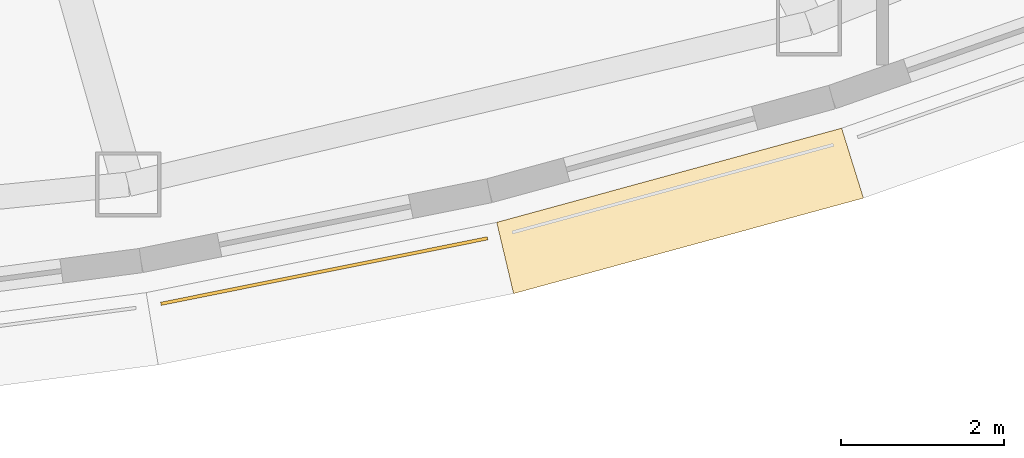
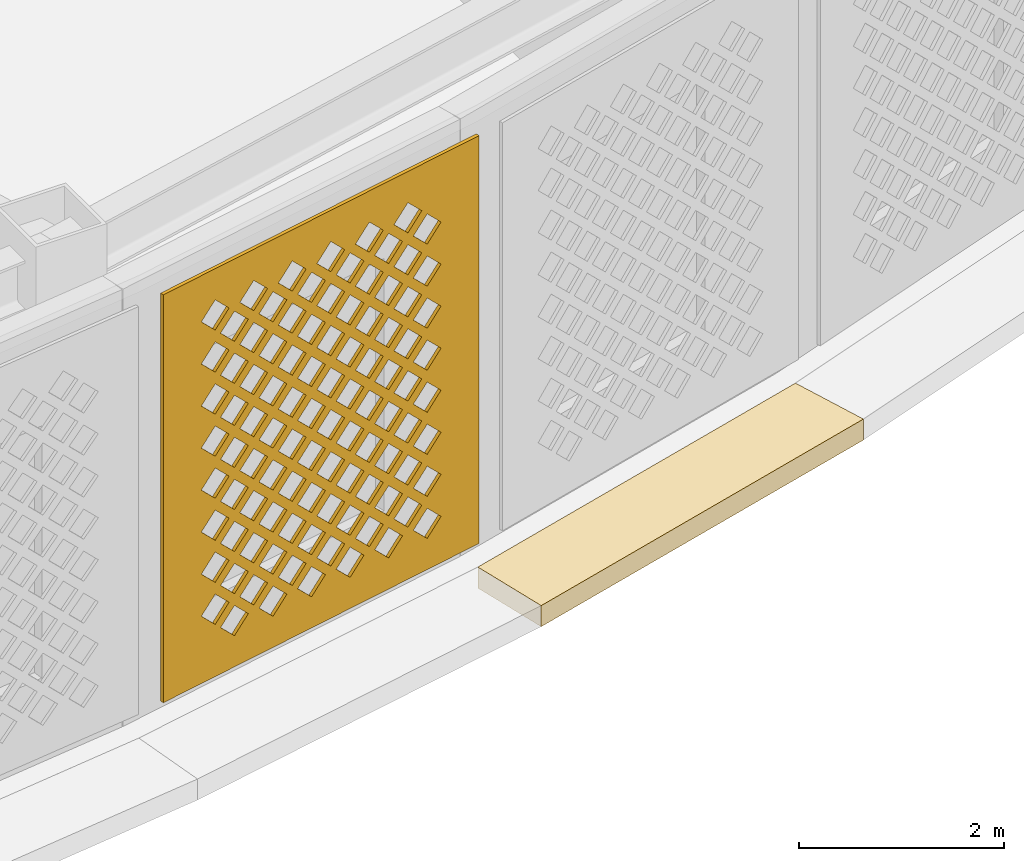
# One storey, part 50 of 63: 2 coverings.
"""IFC4 building model written with IfcOpenShell, lengths in metres."""

from ifc_helpers import new_model, si_unit, direction, frame, origin, place, context, subcontext, project, spatial, polyline, outline, extrude, material, layer, layer_set, type_object, element, save


model = new_model("IFC4")

# Units and contexts
model_context = context("Model", 3, precision=1e-05, world=origin(), true_north=direction((0.0, 1.0)))
body_context = subcontext(model_context, "Body", "Model", "MODEL_VIEW")
ifc_project = project(units=[si_unit("LENGTHUNIT", "METRE"), si_unit("AREAUNIT", "SQUARE_METRE"), si_unit("VOLUMEUNIT", "CUBIC_METRE"), si_unit("PLANEANGLEUNIT", "RADIAN"), si_unit("MASSUNIT", "GRAM", prefix="KILO")], contexts=[model_context])

# Site, building, storey
site_placement = place(None, origin())
site = spatial("IfcSite", under=ifc_project, at=site_placement, CompositionType="ELEMENT")
building_placement = place(site_placement, origin())
building = spatial("IfcBuilding", under=site, at=building_placement, Name="Noorbagh Ring Tower", CompositionType="ELEMENT")
storey_placement = place(building_placement, frame((0.0, 0.0, 25.0)))
storey = spatial("IfcBuildingStorey", under=building, at=storey_placement, Name="L04", CompositionType="ELEMENT", Elevation=25.0)

# Coverings
ifc_material_1 = material(Name="Red sandstone eave", Category="masonry")
covering_type_1 = type_object("IfcCoveringType", Name="STY-CHHAJJA", PredefinedType="USERDEFINED", material=ifc_material_1)
covering_1_placement = place(storey_placement, frame((0.0, 0.0, -0.25)))
element("IfcCovering", 1, at=covering_1_placement, inside=storey, type_object=covering_type_1, Name="Chhajja eave", ObjectType="CHHAJJA", PredefinedType="USERDEFINED", context=body_context, shape_type="SweptSolid", body=[
    extrude(outline(polyline([(15.2568359375, -38.239501953125), (19.49853515625, -37.081298828125), (19.7666015625, -37.941162109375), (15.464111328125, -39.115966796875), (15.2568359375, -38.239501953125)])), origin(), (0.0, 0.0, 1.0), 0.25),
])
ifc_material_2 = material(Name="Red sandstone jali", Category="masonry")
ifc_layer = layer(ifc_material_2, 0.0400390625)
ifc_layer_set = layer_set([ifc_layer], Name="Red sandstone jali")
covering_type_2 = type_object("IfcCoveringType", Name="STY-JALI", PredefinedType="USERDEFINED", material=ifc_layer_set)
covering_2_placement = place(storey_placement, frame((11.130126953125, -39.260498046875, 0.449951171875), z_axis=(0.196528665711, -0.980498079322, 0.0), x_axis=(0.980498079322, 0.196528665711, 0.0)))
element("IfcCovering", 2, at=covering_2_placement, inside=storey, type_object=covering_type_2, Name="Jali screen", ObjectType="SCREEN", PredefinedType="USERDEFINED", context=body_context, shape_type="SweptSolid", body=[
    extrude(outline(polyline([(0.0, 0.0), (4.096923828125, 0.0), (4.096923828125, 4.85009765625), (0.0, 4.85009765625), (0.0, 0.0)]), holes=[polyline([(0.743408203125, 0.550048828125), (0.923583984375, 0.3701171875), (1.103515625, 0.550048828125), (0.923583984375, 0.72998046875), (0.743408203125, 0.550048828125)]), polyline([(1.243408203125, 0.550048828125), (1.423583984375, 0.3701171875), (1.603515625, 0.550048828125), (1.423583984375, 0.72998046875), (1.243408203125, 0.550048828125)]), polyline([(1.743408203125, 0.550048828125), (1.923583984375, 0.3701171875), (2.103515625, 0.550048828125), (1.923583984375, 0.72998046875), (1.743408203125, 0.550048828125)]), polyline([(2.243408203125, 0.550048828125), (2.423583984375, 0.3701171875), (2.603515625, 0.550048828125), (2.423583984375, 0.72998046875), (2.243408203125, 0.550048828125)]), polyline([(2.743408203125, 0.550048828125), (2.923583984375, 0.3701171875), (3.103515625, 0.550048828125), (2.923583984375, 0.72998046875), (2.743408203125, 0.550048828125)]), polyline([(3.243408203125, 0.550048828125), (3.423583984375, 0.3701171875), (3.603515625, 0.550048828125), (3.423583984375, 0.72998046875), (3.243408203125, 0.550048828125)]), polyline([(0.493408203125, 0.800048828125), (0.673583984375, 0.6201171875), (0.853515625, 0.800048828125), (0.673583984375, 0.97998046875), (0.493408203125, 0.800048828125)]), polyline([(0.993408203125, 0.800048828125), (1.173583984375, 0.6201171875), (1.353515625, 0.800048828125), (1.173583984375, 0.97998046875), (0.993408203125, 0.800048828125)]), polyline([(1.493408203125, 0.800048828125), (1.673583984375, 0.6201171875), (1.853515625, 0.800048828125), (1.673583984375, 0.97998046875), (1.493408203125, 0.800048828125)]), polyline([(1.993408203125, 0.800048828125), (2.173583984375, 0.6201171875), (2.353515625, 0.800048828125), (2.173583984375, 0.97998046875), (1.993408203125, 0.800048828125)]), polyline([(2.493408203125, 0.800048828125), (2.673583984375, 0.6201171875), (2.853515625, 0.800048828125), (2.673583984375, 0.97998046875), (2.493408203125, 0.800048828125)]), polyline([(2.993408203125, 0.800048828125), (3.173583984375, 0.6201171875), (3.353515625, 0.800048828125), (3.173583984375, 0.97998046875), (2.993408203125, 0.800048828125)]), polyline([(0.743408203125, 1.050048828125), (0.923583984375, 0.8701171875), (1.103515625, 1.050048828125), (0.923583984375, 1.22998046875), (0.743408203125, 1.050048828125)]), polyline([(1.243408203125, 1.050048828125), (1.423583984375, 0.8701171875), (1.603515625, 1.050048828125), (1.423583984375, 1.22998046875), (1.243408203125, 1.050048828125)]), polyline([(1.743408203125, 1.050048828125), (1.923583984375, 0.8701171875), (2.103515625, 1.050048828125), (1.923583984375, 1.22998046875), (1.743408203125, 1.050048828125)]), polyline([(2.243408203125, 1.050048828125), (2.423583984375, 0.8701171875), (2.603515625, 1.050048828125), (2.423583984375, 1.22998046875), (2.243408203125, 1.050048828125)]), polyline([(2.743408203125, 1.050048828125), (2.923583984375, 0.8701171875), (3.103515625, 1.050048828125), (2.923583984375, 1.22998046875), (2.743408203125, 1.050048828125)]), polyline([(3.243408203125, 1.050048828125), (3.423583984375, 0.8701171875), (3.603515625, 1.050048828125), (3.423583984375, 1.22998046875), (3.243408203125, 1.050048828125)]), polyline([(0.493408203125, 1.300048828125), (0.673583984375, 1.1201171875), (0.853515625, 1.300048828125), (0.673583984375, 1.47998046875), (0.493408203125, 1.300048828125)]), polyline([(0.993408203125, 1.300048828125), (1.173583984375, 1.1201171875), (1.353515625, 1.300048828125), (1.173583984375, 1.47998046875), (0.993408203125, 1.300048828125)]), polyline([(1.493408203125, 1.300048828125), (1.673583984375, 1.1201171875), (1.853515625, 1.300048828125), (1.673583984375, 1.47998046875), (1.493408203125, 1.300048828125)]), polyline([(1.993408203125, 1.300048828125), (2.173583984375, 1.1201171875), (2.353515625, 1.300048828125), (2.173583984375, 1.47998046875), (1.993408203125, 1.300048828125)]), polyline([(2.493408203125, 1.300048828125), (2.673583984375, 1.1201171875), (2.853515625, 1.300048828125), (2.673583984375, 1.47998046875), (2.493408203125, 1.300048828125)]), polyline([(2.993408203125, 1.300048828125), (3.173583984375, 1.1201171875), (3.353515625, 1.300048828125), (3.173583984375, 1.47998046875), (2.993408203125, 1.300048828125)]), polyline([(0.743408203125, 1.550048828125), (0.923583984375, 1.3701171875), (1.103515625, 1.550048828125), (0.923583984375, 1.72998046875), (0.743408203125, 1.550048828125)]), polyline([(1.243408203125, 1.550048828125), (1.423583984375, 1.3701171875), (1.603515625, 1.550048828125), (1.423583984375, 1.72998046875), (1.243408203125, 1.550048828125)]), polyline([(1.743408203125, 1.550048828125), (1.923583984375, 1.3701171875), (2.103515625, 1.550048828125), (1.923583984375, 1.72998046875), (1.743408203125, 1.550048828125)]), polyline([(2.243408203125, 1.550048828125), (2.423583984375, 1.3701171875), (2.603515625, 1.550048828125), (2.423583984375, 1.72998046875), (2.243408203125, 1.550048828125)]), polyline([(2.743408203125, 1.550048828125), (2.923583984375, 1.3701171875), (3.103515625, 1.550048828125), (2.923583984375, 1.72998046875), (2.743408203125, 1.550048828125)]), polyline([(3.243408203125, 1.550048828125), (3.423583984375, 1.3701171875), (3.603515625, 1.550048828125), (3.423583984375, 1.72998046875), (3.243408203125, 1.550048828125)]), polyline([(0.493408203125, 1.800048828125), (0.673583984375, 1.6201171875), (0.853515625, 1.800048828125), (0.673583984375, 1.97998046875), (0.493408203125, 1.800048828125)]), polyline([(0.993408203125, 1.800048828125), (1.173583984375, 1.6201171875), (1.353515625, 1.800048828125), (1.173583984375, 1.97998046875), (0.993408203125, 1.800048828125)]), polyline([(1.493408203125, 1.800048828125), (1.673583984375, 1.6201171875), (1.853515625, 1.800048828125), (1.673583984375, 1.97998046875), (1.493408203125, 1.800048828125)]), polyline([(1.993408203125, 1.800048828125), (2.173583984375, 1.6201171875), (2.353515625, 1.800048828125), (2.173583984375, 1.97998046875), (1.993408203125, 1.800048828125)]), polyline([(2.493408203125, 1.800048828125), (2.673583984375, 1.6201171875), (2.853515625, 1.800048828125), (2.673583984375, 1.97998046875), (2.493408203125, 1.800048828125)]), polyline([(2.993408203125, 1.800048828125), (3.173583984375, 1.6201171875), (3.353515625, 1.800048828125), (3.173583984375, 1.97998046875), (2.993408203125, 1.800048828125)]), polyline([(0.743408203125, 2.050048828125), (0.923583984375, 1.8701171875), (1.103515625, 2.050048828125), (0.923583984375, 2.22998046875), (0.743408203125, 2.050048828125)]), polyline([(1.243408203125, 2.050048828125), (1.423583984375, 1.8701171875), (1.603515625, 2.050048828125), (1.423583984375, 2.22998046875), (1.243408203125, 2.050048828125)]), polyline([(1.743408203125, 2.050048828125), (1.923583984375, 1.8701171875), (2.103515625, 2.050048828125), (1.923583984375, 2.22998046875), (1.743408203125, 2.050048828125)]), polyline([(2.243408203125, 2.050048828125), (2.423583984375, 1.8701171875), (2.603515625, 2.050048828125), (2.423583984375, 2.22998046875), (2.243408203125, 2.050048828125)]), polyline([(2.743408203125, 2.050048828125), (2.923583984375, 1.8701171875), (3.103515625, 2.050048828125), (2.923583984375, 2.22998046875), (2.743408203125, 2.050048828125)]), polyline([(3.243408203125, 2.050048828125), (3.423583984375, 1.8701171875), (3.603515625, 2.050048828125), (3.423583984375, 2.22998046875), (3.243408203125, 2.050048828125)]), polyline([(0.493408203125, 2.300048828125), (0.673583984375, 2.1201171875), (0.853515625, 2.300048828125), (0.673583984375, 2.47998046875), (0.493408203125, 2.300048828125)]), polyline([(0.993408203125, 2.300048828125), (1.173583984375, 2.1201171875), (1.353515625, 2.300048828125), (1.173583984375, 2.47998046875), (0.993408203125, 2.300048828125)]), polyline([(1.493408203125, 2.300048828125), (1.673583984375, 2.1201171875), (1.853515625, 2.300048828125), (1.673583984375, 2.47998046875), (1.493408203125, 2.300048828125)]), polyline([(1.993408203125, 2.300048828125), (2.173583984375, 2.1201171875), (2.353515625, 2.300048828125), (2.173583984375, 2.47998046875), (1.993408203125, 2.300048828125)]), polyline([(2.493408203125, 2.300048828125), (2.673583984375, 2.1201171875), (2.853515625, 2.300048828125), (2.673583984375, 2.47998046875), (2.493408203125, 2.300048828125)]), polyline([(2.993408203125, 2.300048828125), (3.173583984375, 2.1201171875), (3.353515625, 2.300048828125), (3.173583984375, 2.47998046875), (2.993408203125, 2.300048828125)]), polyline([(0.743408203125, 2.550048828125), (0.923583984375, 2.3701171875), (1.103515625, 2.550048828125), (0.923583984375, 2.72998046875), (0.743408203125, 2.550048828125)]), polyline([(1.243408203125, 2.550048828125), (1.423583984375, 2.3701171875), (1.603515625, 2.550048828125), (1.423583984375, 2.72998046875), (1.243408203125, 2.550048828125)]), polyline([(1.743408203125, 2.550048828125), (1.923583984375, 2.3701171875), (2.103515625, 2.550048828125), (1.923583984375, 2.72998046875), (1.743408203125, 2.550048828125)]), polyline([(2.243408203125, 2.550048828125), (2.423583984375, 2.3701171875), (2.603515625, 2.550048828125), (2.423583984375, 2.72998046875), (2.243408203125, 2.550048828125)]), polyline([(2.743408203125, 2.550048828125), (2.923583984375, 2.3701171875), (3.103515625, 2.550048828125), (2.923583984375, 2.72998046875), (2.743408203125, 2.550048828125)]), polyline([(3.243408203125, 2.550048828125), (3.423583984375, 2.3701171875), (3.603515625, 2.550048828125), (3.423583984375, 2.72998046875), (3.243408203125, 2.550048828125)]), polyline([(0.493408203125, 2.800048828125), (0.673583984375, 2.6201171875), (0.853515625, 2.800048828125), (0.673583984375, 2.97998046875), (0.493408203125, 2.800048828125)]), polyline([(0.993408203125, 2.800048828125), (1.173583984375, 2.6201171875), (1.353515625, 2.800048828125), (1.173583984375, 2.97998046875), (0.993408203125, 2.800048828125)]), polyline([(1.493408203125, 2.800048828125), (1.673583984375, 2.6201171875), (1.853515625, 2.800048828125), (1.673583984375, 2.97998046875), (1.493408203125, 2.800048828125)]), polyline([(1.993408203125, 2.800048828125), (2.173583984375, 2.6201171875), (2.353515625, 2.800048828125), (2.173583984375, 2.97998046875), (1.993408203125, 2.800048828125)]), polyline([(2.493408203125, 2.800048828125), (2.673583984375, 2.6201171875), (2.853515625, 2.800048828125), (2.673583984375, 2.97998046875), (2.493408203125, 2.800048828125)]), polyline([(2.993408203125, 2.800048828125), (3.173583984375, 2.6201171875), (3.353515625, 2.800048828125), (3.173583984375, 2.97998046875), (2.993408203125, 2.800048828125)]), polyline([(0.743408203125, 3.050048828125), (0.923583984375, 2.8701171875), (1.103515625, 3.050048828125), (0.923583984375, 3.22998046875), (0.743408203125, 3.050048828125)]), polyline([(1.243408203125, 3.050048828125), (1.423583984375, 2.8701171875), (1.603515625, 3.050048828125), (1.423583984375, 3.22998046875), (1.243408203125, 3.050048828125)]), polyline([(1.743408203125, 3.050048828125), (1.923583984375, 2.8701171875), (2.103515625, 3.050048828125), (1.923583984375, 3.22998046875), (1.743408203125, 3.050048828125)]), polyline([(2.243408203125, 3.050048828125), (2.423583984375, 2.8701171875), (2.603515625, 3.050048828125), (2.423583984375, 3.22998046875), (2.243408203125, 3.050048828125)]), polyline([(2.743408203125, 3.050048828125), (2.923583984375, 2.8701171875), (3.103515625, 3.050048828125), (2.923583984375, 3.22998046875), (2.743408203125, 3.050048828125)]), polyline([(3.243408203125, 3.050048828125), (3.423583984375, 2.8701171875), (3.603515625, 3.050048828125), (3.423583984375, 3.22998046875), (3.243408203125, 3.050048828125)]), polyline([(0.493408203125, 3.300048828125), (0.673583984375, 3.1201171875), (0.853515625, 3.300048828125), (0.673583984375, 3.47998046875), (0.493408203125, 3.300048828125)]), polyline([(0.993408203125, 3.300048828125), (1.173583984375, 3.1201171875), (1.353515625, 3.300048828125), (1.173583984375, 3.47998046875), (0.993408203125, 3.300048828125)]), polyline([(1.493408203125, 3.300048828125), (1.673583984375, 3.1201171875), (1.853515625, 3.300048828125), (1.673583984375, 3.47998046875), (1.493408203125, 3.300048828125)]), polyline([(1.993408203125, 3.300048828125), (2.173583984375, 3.1201171875), (2.353515625, 3.300048828125), (2.173583984375, 3.47998046875), (1.993408203125, 3.300048828125)]), polyline([(2.493408203125, 3.300048828125), (2.673583984375, 3.1201171875), (2.853515625, 3.300048828125), (2.673583984375, 3.47998046875), (2.493408203125, 3.300048828125)]), polyline([(2.993408203125, 3.300048828125), (3.173583984375, 3.1201171875), (3.353515625, 3.300048828125), (3.173583984375, 3.47998046875), (2.993408203125, 3.300048828125)]), polyline([(0.743408203125, 3.550048828125), (0.923583984375, 3.3701171875), (1.103515625, 3.550048828125), (0.923583984375, 3.72998046875), (0.743408203125, 3.550048828125)]), polyline([(1.243408203125, 3.550048828125), (1.423583984375, 3.3701171875), (1.603515625, 3.550048828125), (1.423583984375, 3.72998046875), (1.243408203125, 3.550048828125)]), polyline([(1.743408203125, 3.550048828125), (1.923583984375, 3.3701171875), (2.103515625, 3.550048828125), (1.923583984375, 3.72998046875), (1.743408203125, 3.550048828125)]), polyline([(2.243408203125, 3.550048828125), (2.423583984375, 3.3701171875), (2.603515625, 3.550048828125), (2.423583984375, 3.72998046875), (2.243408203125, 3.550048828125)]), polyline([(2.743408203125, 3.550048828125), (2.923583984375, 3.3701171875), (3.103515625, 3.550048828125), (2.923583984375, 3.72998046875), (2.743408203125, 3.550048828125)]), polyline([(3.243408203125, 3.550048828125), (3.423583984375, 3.3701171875), (3.603515625, 3.550048828125), (3.423583984375, 3.72998046875), (3.243408203125, 3.550048828125)]), polyline([(0.493408203125, 3.800048828125), (0.673583984375, 3.6201171875), (0.853515625, 3.800048828125), (0.673583984375, 3.97998046875), (0.493408203125, 3.800048828125)]), polyline([(0.993408203125, 3.800048828125), (1.173583984375, 3.6201171875), (1.353515625, 3.800048828125), (1.173583984375, 3.97998046875), (0.993408203125, 3.800048828125)]), polyline([(1.493408203125, 3.800048828125), (1.673583984375, 3.6201171875), (1.853515625, 3.800048828125), (1.673583984375, 3.97998046875), (1.493408203125, 3.800048828125)]), polyline([(1.993408203125, 3.800048828125), (2.173583984375, 3.6201171875), (2.353515625, 3.800048828125), (2.173583984375, 3.97998046875), (1.993408203125, 3.800048828125)]), polyline([(2.493408203125, 3.800048828125), (2.673583984375, 3.6201171875), (2.853515625, 3.800048828125), (2.673583984375, 3.97998046875), (2.493408203125, 3.800048828125)]), polyline([(2.993408203125, 3.800048828125), (3.173583984375, 3.6201171875), (3.353515625, 3.800048828125), (3.173583984375, 3.97998046875), (2.993408203125, 3.800048828125)]), polyline([(0.743408203125, 4.050048828125), (0.923583984375, 3.8701171875), (1.103515625, 4.050048828125), (0.923583984375, 4.22998046875), (0.743408203125, 4.050048828125)]), polyline([(1.243408203125, 4.050048828125), (1.423583984375, 3.8701171875), (1.603515625, 4.050048828125), (1.423583984375, 4.22998046875), (1.243408203125, 4.050048828125)]), polyline([(1.743408203125, 4.050048828125), (1.923583984375, 3.8701171875), (2.103515625, 4.050048828125), (1.923583984375, 4.22998046875), (1.743408203125, 4.050048828125)]), polyline([(2.243408203125, 4.050048828125), (2.423583984375, 3.8701171875), (2.603515625, 4.050048828125), (2.423583984375, 4.22998046875), (2.243408203125, 4.050048828125)]), polyline([(2.743408203125, 4.050048828125), (2.923583984375, 3.8701171875), (3.103515625, 4.050048828125), (2.923583984375, 4.22998046875), (2.743408203125, 4.050048828125)]), polyline([(3.243408203125, 4.050048828125), (3.423583984375, 3.8701171875), (3.603515625, 4.050048828125), (3.423583984375, 4.22998046875), (3.243408203125, 4.050048828125)]), polyline([(0.493408203125, 4.300048828125), (0.673583984375, 4.1201171875), (0.853515625, 4.300048828125), (0.673583984375, 4.47998046875), (0.493408203125, 4.300048828125)]), polyline([(0.993408203125, 4.300048828125), (1.173583984375, 4.1201171875), (1.353515625, 4.300048828125), (1.173583984375, 4.47998046875), (0.993408203125, 4.300048828125)]), polyline([(1.493408203125, 4.300048828125), (1.673583984375, 4.1201171875), (1.853515625, 4.300048828125), (1.673583984375, 4.47998046875), (1.493408203125, 4.300048828125)]), polyline([(1.993408203125, 4.300048828125), (2.173583984375, 4.1201171875), (2.353515625, 4.300048828125), (2.173583984375, 4.47998046875), (1.993408203125, 4.300048828125)]), polyline([(2.493408203125, 4.300048828125), (2.673583984375, 4.1201171875), (2.853515625, 4.300048828125), (2.673583984375, 4.47998046875), (2.493408203125, 4.300048828125)]), polyline([(2.993408203125, 4.300048828125), (3.173583984375, 4.1201171875), (3.353515625, 4.300048828125), (3.173583984375, 4.47998046875), (2.993408203125, 4.300048828125)])]), origin(), (0.0, 0.0, -1.0), 0.0400390625),
])

save(model, "model.ifc")
